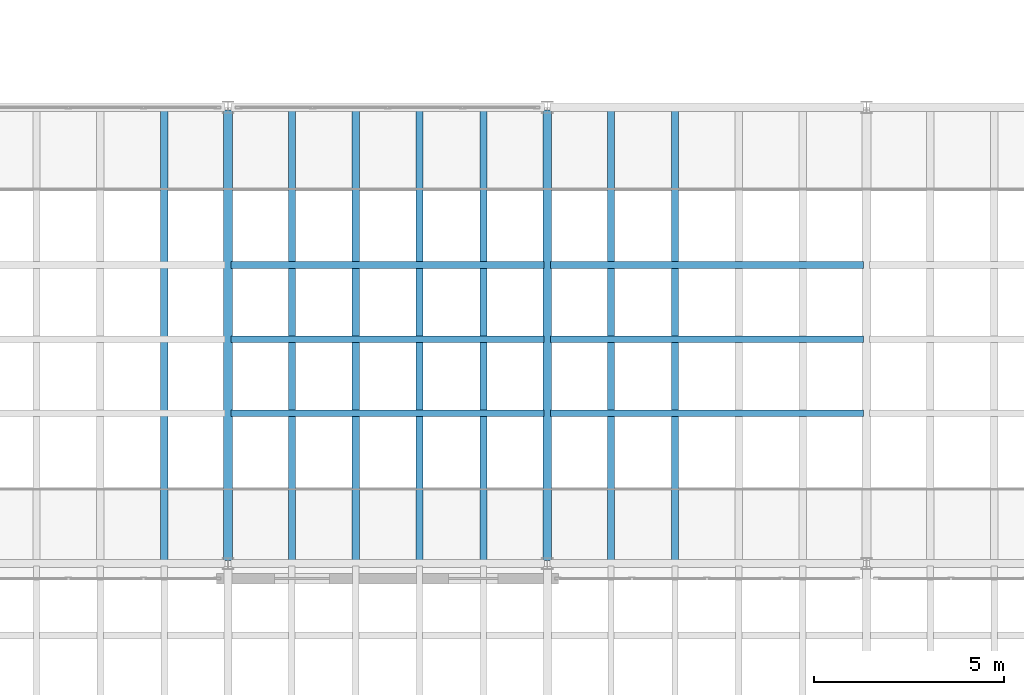
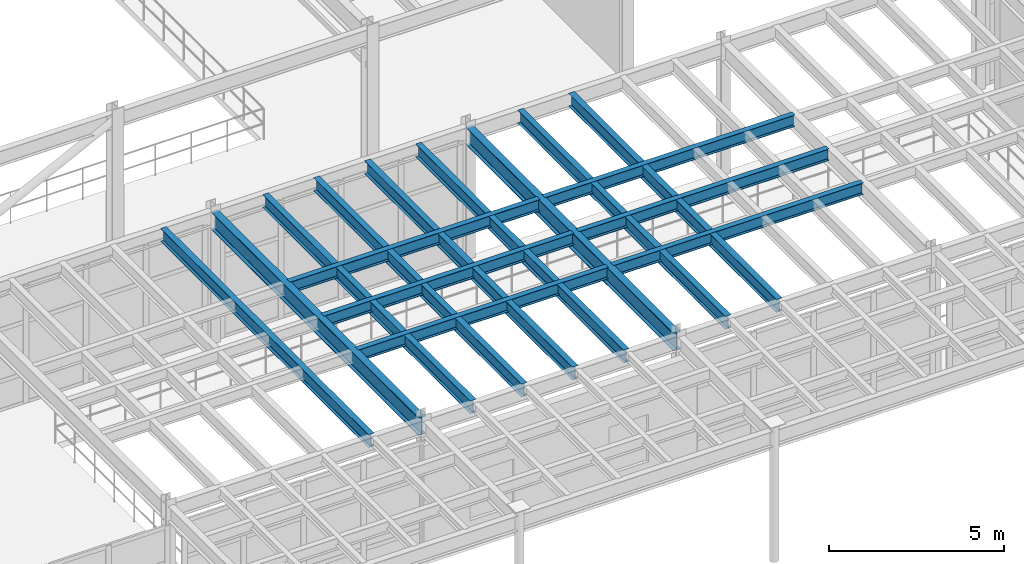
# One storey, part 28 of 105: 15 beams.
"""IFC4 building model written with IfcOpenShell, lengths in metres."""

from ifc_helpers import new_model, si_unit, direction, frame, origin, origin_2d, place, context, subcontext, project, spatial, i_section, extrude, material, material_profile, profile_set, type_object, element, save


model = new_model("IFC4")

# Units and contexts
model_context = context("Model", 3, precision=1e-05, world=origin(), true_north=direction((0.0, 1.0)))
body_context = subcontext(model_context, "Body", "Model", "MODEL_VIEW")
ifc_project = project(units=[si_unit("LENGTHUNIT", "METRE"), si_unit("AREAUNIT", "SQUARE_METRE"), si_unit("VOLUMEUNIT", "CUBIC_METRE"), si_unit("PLANEANGLEUNIT", "RADIAN"), si_unit("MASSUNIT", "GRAM", prefix="KILO")], contexts=[model_context])

# Site, building, storey
site_placement = place(None, origin())
site = spatial("IfcSite", under=ifc_project, at=site_placement, CompositionType="ELEMENT")
building_placement = place(site_placement, origin())
building = spatial("IfcBuilding", under=site, at=building_placement, Name="Selat Folded Stagehouse", CompositionType="ELEMENT")
storey_placement = place(building_placement, frame((0.0, 0.0, 10.199951171875)))
storey = spatial("IfcBuildingStorey", under=building, at=storey_placement, Name="L02", CompositionType="ELEMENT", Elevation=10.199951171875)

# Beams
ifc_material = material(Name="Steel S355", Category="steel")
ifc_material_profile_1 = material_profile(ifc_material, i_section(OverallWidth=0.230224609375, OverallDepth=0.6171875, WebThickness=0.01318359375, FlangeThickness=0.022216796875, FilletRadius=0.0126953125, at=origin_2d()), Name="UKB 610x229x140")
ifc_profile_set_1 = profile_set([ifc_material_profile_1], Name="Steel S355")
beam_type_1 = type_object("IfcBeamType", Name="BM-GIRD-610x229x140", PredefinedType="BEAM", material=ifc_profile_set_1)
for number, where, z_axis, x_axis, name in (
    (1, (50.39990234375, 5.876953125, 4.266357421875), (0.0, 1.0, 0.0), (-1.0, 0.0, 0.0), "L02 primary y-girder 1051"),
    (2, (58.800048828125, 5.876953125, 4.266357421875), (0.0, 1.0, 0.0), (-1.0, 0.0, 0.0), "L02 primary y-girder 1054"),
):
    element("IfcBeam", number, at=place(storey_placement, frame(where, z_axis=z_axis, x_axis=x_axis)), inside=storey, type_object=beam_type_1, Name=name, PredefinedType="BEAM", context=body_context, shape_type="SweptSolid", body=[
        extrude(i_section(OverallWidth=0.230224609375, OverallDepth=0.6171875, WebThickness=0.01318359375, FlangeThickness=0.022216796875, FilletRadius=0.0126953125, at=origin_2d()), origin(), (0.0, 0.0, 1.0), 11.845947265625),
    ])
ifc_material_profile_2 = material_profile(ifc_material, i_section(OverallWidth=0.177978515625, OverallDepth=0.406494140625, WebThickness=0.0078125, FlangeThickness=0.0126953125, FilletRadius=0.01025390625, at=origin_2d()), Name="UKB 406x178x60")
ifc_profile_set_2 = profile_set([ifc_material_profile_2], Name="Steel S355")
beam_type_2 = type_object("IfcBeamType", Name="JST-406x178x60", PredefinedType="JOIST", material=ifc_profile_set_2)
for number, where, z_axis, x_axis, name in (
    (3, (50.480712890625, 9.75, 4.371826171875), (1.0, 0.0, 0.0), (0.0, 1.0, 0.0), "L02 secondary x-joist 1219"),
    (4, (58.880615234375, 9.75, 4.371826171875), (1.0, 0.0, 0.0), (0.0, 1.0, 0.0), "L02 secondary x-joist 1220"),
    (5, (50.480712890625, 11.699951171875, 4.371826171875), (1.0, 0.0, 0.0), (0.0, 1.0, 0.0), "L02 secondary x-joist 1228"),
    (6, (58.880615234375, 11.699951171875, 4.371826171875), (1.0, 0.0, 0.0), (0.0, 1.0, 0.0), "L02 secondary x-joist 1229"),
    (7, (50.480712890625, 13.64990234375, 4.371826171875), (1.0, 0.0, 0.0), (0.0, 1.0, 0.0), "L02 secondary x-joist 1236"),
    (8, (58.880615234375, 13.64990234375, 4.371826171875), (1.0, 0.0, 0.0), (0.0, 1.0, 0.0), "L02 secondary x-joist 1237"),
):
    element("IfcBeam", number, at=place(storey_placement, frame(where, z_axis=z_axis, x_axis=x_axis)), inside=storey, type_object=beam_type_2, Name=name, PredefinedType="JOIST", context=body_context, shape_type="SweptSolid", body=[
        extrude(i_section(OverallWidth=0.177978515625, OverallDepth=0.406494140625, WebThickness=0.0078125, FlangeThickness=0.0126953125, FilletRadius=0.01025390625, at=origin_2d()), origin(), (0.0, 0.0, 1.0), 8.23876953125),
    ])
ifc_material_profile_3 = material_profile(ifc_material, i_section(OverallWidth=0.18994140625, OverallDepth=0.453369140625, WebThickness=0.008544921875, FlangeThickness=0.0126953125, FilletRadius=0.01025390625, at=origin_2d()), Name="UKB 457x191x67")
ifc_profile_set_3 = profile_set([ifc_material_profile_3], Name="Steel S355")
beam_type_3 = type_object("IfcBeamType", Name="JST-457x191x67", PredefinedType="JOIST", material=ifc_profile_set_3)
for number, where, z_axis, x_axis, name in (
    (9, (48.719970703125, 5.873291015625, 4.348388671875), (0.0, 1.0, 0.0), (-1.0, 0.0, 0.0), "L02 secondary floor joist 1122"),
    (10, (52.080078125, 5.873291015625, 4.348388671875), (0.0, 1.0, 0.0), (-1.0, 0.0, 0.0), "L02 secondary floor joist 1125"),
    (11, (53.760009765625, 5.873291015625, 4.348388671875), (0.0, 1.0, 0.0), (-1.0, 0.0, 0.0), "L02 secondary floor joist 1127"),
    (12, (55.43994140625, 5.873291015625, 4.348388671875), (0.0, 1.0, 0.0), (-1.0, 0.0, 0.0), "L02 secondary floor joist 1129"),
    (13, (57.1201171875, 5.873291015625, 4.348388671875), (0.0, 1.0, 0.0), (-1.0, 0.0, 0.0), "L02 secondary floor joist 1131"),
    (14, (60.47998046875, 5.873291015625, 4.348388671875), (0.0, 1.0, 0.0), (-1.0, 0.0, 0.0), "L02 secondary floor joist 1133"),
    (15, (62.159912109375, 5.873291015625, 4.348388671875), (0.0, 1.0, 0.0), (-1.0, 0.0, 0.0), "L02 secondary floor joist 1136"),
):
    element("IfcBeam", number, at=place(storey_placement, frame(where, z_axis=z_axis, x_axis=x_axis)), inside=storey, type_object=beam_type_3, Name=name, PredefinedType="JOIST", context=body_context, shape_type="SweptSolid", body=[
        extrude(i_section(OverallWidth=0.18994140625, OverallDepth=0.453369140625, WebThickness=0.008544921875, FlangeThickness=0.0126953125, FilletRadius=0.01025390625, at=origin_2d()), origin(), (0.0, 0.0, 1.0), 11.853515625),
    ])

save(model, "model.ifc")
